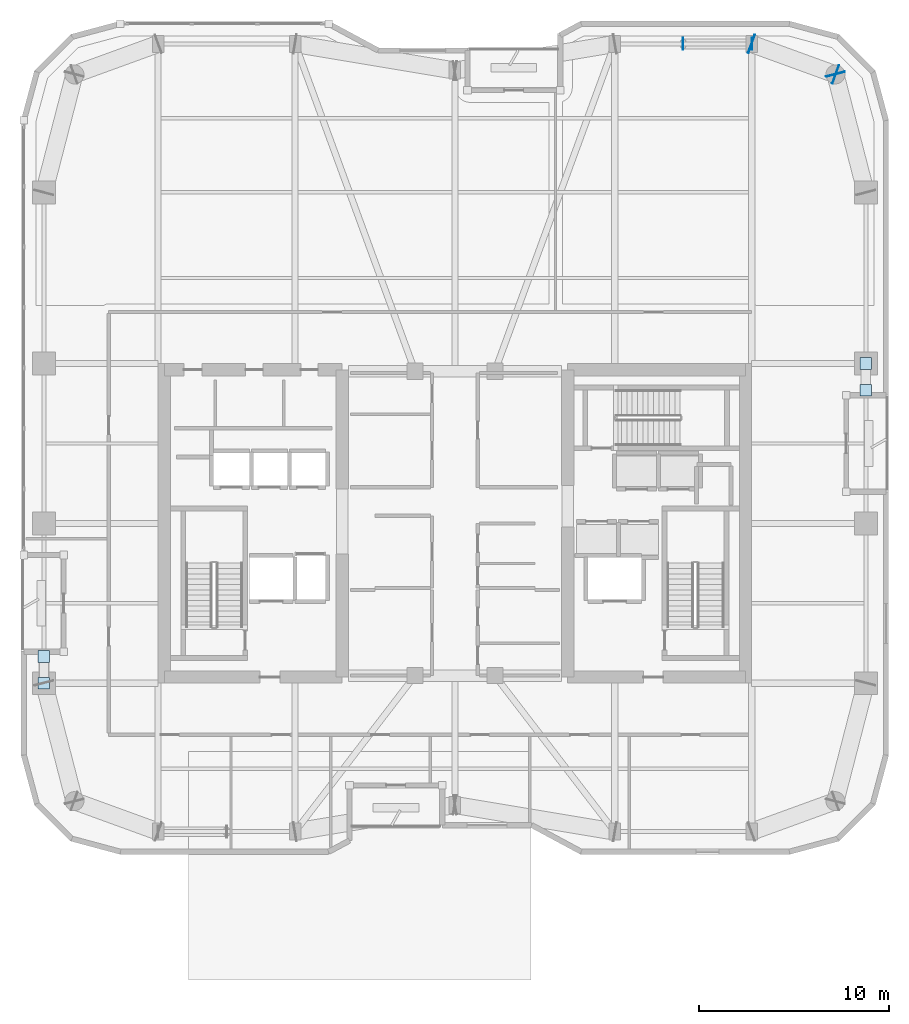
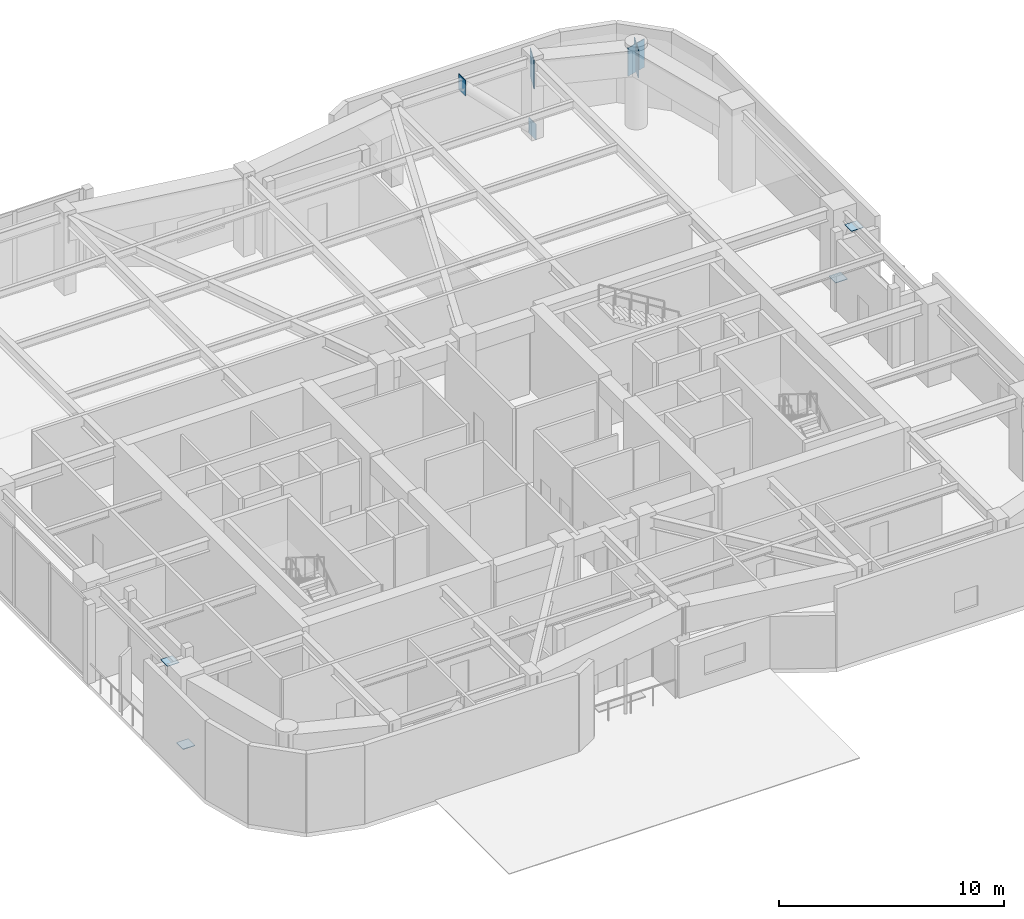
# One storey, part 10 of 18: 9 plates.
"""IFC4 building model written with IfcOpenShell, lengths in metres."""

from ifc_helpers import new_model, si_unit, direction, frame, origin, origin_2d, place, context, subcontext, project, spatial, rectangle, extrude, material, layer, layer_set, type_object, element, save


model = new_model("IFC4")

# Units and contexts
model_context = context("Model", 3, precision=1e-05, world=origin(), true_north=direction((0.0, 1.0)))
body_context = subcontext(model_context, "Body", "Model", "MODEL_VIEW")
ifc_project = project(units=[si_unit("LENGTHUNIT", "METRE"), si_unit("AREAUNIT", "SQUARE_METRE"), si_unit("VOLUMEUNIT", "CUBIC_METRE"), si_unit("PLANEANGLEUNIT", "RADIAN"), si_unit("MASSUNIT", "GRAM", prefix="KILO")], contexts=[model_context])

# Site, building, storey
site_placement = place(None, origin())
site = spatial("IfcSite", under=ifc_project, at=site_placement, CompositionType="ELEMENT")
building_placement = place(site_placement, origin())
building = spatial("IfcBuilding", under=site, at=building_placement, Name="Kiyonajd Concourse Tower", CompositionType="ELEMENT")
storey_placement = place(building_placement, frame((0.0, 0.0, 214.800048828125)))
storey = spatial("IfcBuildingStorey", under=building, at=storey_placement, Name="L54", CompositionType="ELEMENT", Elevation=214.800048828125)

# Plates
ifc_material = material(Name="Steel ASTM A572 Grade 50", Category="steel")
ifc_layer_1 = layer(ifc_material, 0.028076171875)
ifc_layer_set_1 = layer_set([ifc_layer_1], Name="Steel ASTM A572 Grade 50")
plate_type_1 = type_object("IfcPlateType", Name="PL-CAP-450", PredefinedType="USERDEFINED", material=ifc_layer_set_1)
for number, where, z_axis, x_axis, name in (
    (1, (63.607666015625, 61.199951171875, -0.13818359375), (0.0, 0.0, 1.0), (1.0, 0.0, 0.0), "L54 Hollow Brace End Cap Plate PBN"),
    (2, (59.9921875, 61.199951171875, 3.50732421875), (0.0, 0.0, 1.0), (-1.0, 0.0, 0.0), "L54 Hollow Brace Top Cap Plate PBN"),
):
    element("IfcPlate", number, at=place(storey_placement, frame(where, z_axis=z_axis, x_axis=x_axis)), inside=storey, type_object=plate_type_1, Name=name, ObjectType="CAP PLATE", PredefinedType="USERDEFINED", context=body_context, shape_type="SweptSolid", body=[
        extrude(rectangle(XDim=0.035888671875, YDim=0.6279296875, at=origin_2d()), origin(), (0.0, 0.0, 1.0), 0.861083984375),
    ])
for number, where, z_axis, x_axis, name in (
    (3, (26.39990234375, 27.595947265625, 0.275390625), (0.0, 0.0, 1.0), (1.0, 0.0, 0.0), "L54 Hollow Brace End Cap Plate PBW"),
    (4, (26.39990234375, 29.00390625, 3.92626953125), (0.0, 0.0, 1.0), (1.0, 0.0, 0.0), "L54 Hollow Brace Top Cap Plate PBW"),
    (5, (69.60009765625, 44.404052734375, 0.275390625), (0.0, 0.0, 1.0), (1.0, 0.0, 0.0), "L54 Hollow Brace End Cap Plate PBE"),
    (6, (69.60009765625, 42.99609375, 3.92626953125), (0.0, 0.0, 1.0), (1.0, 0.0, 0.0), "L54 Hollow Brace Top Cap Plate PBE"),
):
    element("IfcPlate", number, at=place(storey_placement, frame(where, z_axis=z_axis, x_axis=x_axis)), inside=storey, type_object=plate_type_1, Name=name, ObjectType="CAP PLATE", PredefinedType="USERDEFINED", context=body_context, shape_type="SweptSolid", body=[
        extrude(rectangle(XDim=0.60791015625, YDim=0.60791015625, at=origin_2d()), origin(), (0.0, 0.0, 1.0), 0.028076171875),
    ])
ifc_layer_2 = layer(ifc_material, 0.031982421875)
ifc_layer_set_2 = layer_set([ifc_layer_2], Name="Steel ASTM A572 Grade 50")
plate_type_2 = type_object("IfcPlateType", Name="PL-CAP-540", PredefinedType="USERDEFINED", material=ifc_layer_set_2)
for number, where, z_axis, x_axis, name in (
    (7, (67.997314453125, 59.610595703125, 2.809814453125), (0.0, 0.0, 1.0), (-0.249873048837, 0.968278606324, 0.0), "L54 Welded Box Girder End Cap"),
    (8, (68.01025390625, 59.59619140625, 2.809814453125), (0.0, 0.0, 1.0), (0.939811951086, -0.341692107891, 0.0), "L54 Welded Box Girder End Cap"),
    (9, (63.589599609375, 61.203857421875, 2.809814453125), (0.0, 0.0, 1.0), (-0.939811951086, 0.341692107891, 0.0), "L54 Welded Box Girder End Cap"),
):
    element("IfcPlate", number, at=place(storey_placement, frame(where, z_axis=z_axis, x_axis=x_axis)), inside=storey, type_object=plate_type_2, Name=name, ObjectType="CAP PLATE", PredefinedType="USERDEFINED", context=body_context, shape_type="SweptSolid", body=[
        extrude(rectangle(XDim=0.035888671875, YDim=1.02001953125, at=origin_2d()), origin(), (0.0, 0.0, 1.0), 1.5400390625),
    ])

save(model, "model.ifc")
